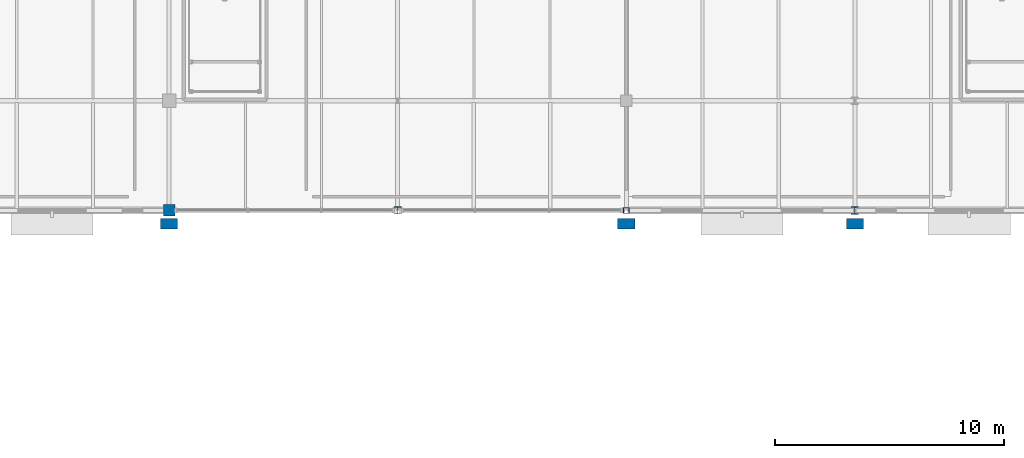
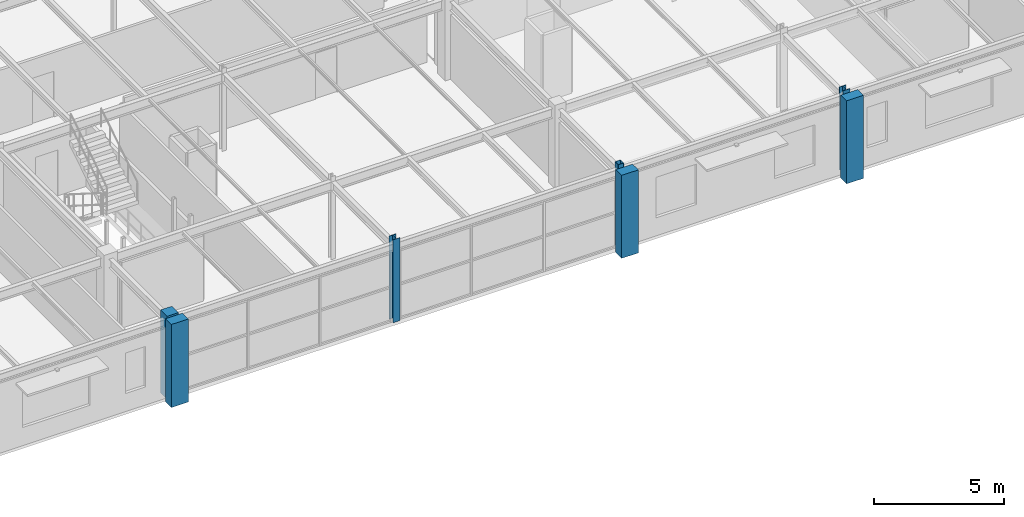
# One storey, part 18 of 98: 7 columns.
"""IFC4 building model written with IfcOpenShell, lengths in metres."""

import ifcopenshell
import ifcopenshell.guid

model = None  # the IFC model being written
_history = None  # IfcOwnerHistory: only IFC2X3 demands one
_inside = {}  # id of a spatial element -> (the spatial element, [elements in it])
_under = {}  # id of a project, library or spatial element -> (it, [spatial elements below it])
_declared = {}  # id of a project -> (the project, [libraries it declares])
_typed = {}  # id of a type object -> (the type object, [elements of that type])
_made_of = {}  # id of a material, layer set ... -> (it, [elements and type objects made of it])


def new_model(schema):
    """Start an empty IFC model of exactly this schema.

    Asked for "IFC4X3", IfcOpenShell would pick the latest addendum, in which some entities
    have other attributes; the version numbers below select the first issue.
    IFC2X3 requires an IfcOwnerHistory on every rooted entity: one is made here for all.
    """
    global model, _history
    if schema == "IFC4X3":
        model = ifcopenshell.file(schema_version=(4, 3, 0, 0))
    else:
        model = ifcopenshell.file(schema=schema)
    _inside.clear()
    _under.clear()
    _declared.clear()
    _typed.clear()
    _made_of.clear()
    _history = None
    if model.schema == "IFC2X3":
        org = make("IfcOrganization", Name="unknown")
        user = make(
            "IfcPersonAndOrganization",
            ThePerson=make("IfcPerson", FamilyName="unknown"),
            TheOrganization=org,
        )
        app = make(
            "IfcApplication",
            ApplicationDeveloper=org,
            Version="unknown",
            ApplicationFullName="unknown",
            ApplicationIdentifier="unknown",
        )
        _history = make(
            "IfcOwnerHistory",
            OwningUser=user,
            OwningApplication=app,
            ChangeAction="ADDED",
            CreationDate=0,
        )
    return model


def make(cls, **values):
    """One entity of the class cls with the attributes given. An attribute that is None is left unset."""
    return model.create_entity(
        cls, **{name: value for name, value in values.items() if value is not None}
    )


def rooted(cls, **values):
    """An entity with a GlobalId (a new one), such as an element, a storey or a relation."""
    return make(cls, GlobalId=ifcopenshell.guid.new(), OwnerHistory=_history, **values)


def si_unit(unit_type, name, prefix=None):
    """IfcSIUnit, for example si_unit("LENGTHUNIT", "METRE", prefix="MILLI")."""
    return make("IfcSIUnit", UnitType=unit_type, Prefix=prefix, Name=name)


def derived_unit(unit_type, elements):
    """IfcDerivedUnit: a product of units, each with its exponent."""
    return make(
        "IfcDerivedUnit",
        Elements=[
            make("IfcDerivedUnitElement", Unit=unit, Exponent=power)
            for unit, power in elements
        ],
        UnitType=unit_type,
    )


def assignment(units):
    """IfcUnitAssignment: the units of a project."""
    return None if units is None else make("IfcUnitAssignment", Units=units)


def point(xyz):
    """IfcCartesianPoint."""
    return None if xyz is None else make("IfcCartesianPoint", Coordinates=xyz)


def direction(xyz):
    """IfcDirection."""
    return None if xyz is None else make("IfcDirection", DirectionRatios=xyz)


def frame(location, z_axis=None, x_axis=None):
    """IfcAxis2Placement3D, a coordinate frame: its origin and axes. An axis left out is left unset."""
    return make(
        "IfcAxis2Placement3D",
        Location=point(location),
        Axis=direction(z_axis),
        RefDirection=direction(x_axis),
    )


def frame_2d(location, x_axis=None):
    """IfcAxis2Placement2D, a coordinate frame in the plane: its origin and x axis."""
    return make(
        "IfcAxis2Placement2D", Location=point(location), RefDirection=direction(x_axis)
    )


def origin():
    """The frame at (0, 0, 0) with its axes left unset."""
    return frame((0.0, 0.0, 0.0))


def origin_2d_with_axis():
    """The frame at (0, 0) in the plane with the x axis (1, 0) written out."""
    return frame_2d((0.0, 0.0), x_axis=(1.0, 0.0))


def place(relative_to, where):
    """IfcLocalPlacement: puts the frame where relative to a parent placement (None: the world)."""
    return make(
        "IfcLocalPlacement", PlacementRelTo=relative_to, RelativePlacement=where
    )


def context(
    kind, dimensions, precision=None, world=None, true_north=None, identifier=None
):
    """IfcGeometricRepresentationContext, for example the 3D "Model" context."""
    return make(
        "IfcGeometricRepresentationContext",
        ContextIdentifier=identifier,
        ContextType=kind,
        CoordinateSpaceDimension=dimensions,
        Precision=precision,
        WorldCoordinateSystem=world,
        TrueNorth=true_north,
    )


def subcontext(parent, identifier, kind, view, scale=None):
    """IfcGeometricRepresentationSubContext, for example "Body" below "Model"."""
    return make(
        "IfcGeometricRepresentationSubContext",
        ContextIdentifier=identifier,
        ContextType=kind,
        ParentContext=parent,
        TargetScale=scale,
        TargetView=view,
    )


def project(units=None, contexts=None):
    """IfcProject with its units and contexts."""
    return rooted(
        "IfcProject",
        Name="project",
        RepresentationContexts=contexts,
        UnitsInContext=assignment(units),
    )


def spatial(cls, under=None, at=None, **own):
    """A site, building, storey or space (cls), placed at a placement, below another one or the project."""
    s = rooted(cls, ObjectPlacement=at, **own)
    if under is not None:
        _under.setdefault(under.id(), (under, []))[1].append(s)
    return s


def profile(cls, at=None, kind="AREA", **sizes):
    """A parametric profile (cls). Its sizes go by their IFC names, for example OverallWidth=200.0."""
    return make(cls, ProfileType=kind, Position=at, **sizes)


def rectangle(**sizes):
    """IfcRectangleProfileDef."""
    return profile("IfcRectangleProfileDef", **sizes)


def hollow_rectangle(**sizes):
    """IfcRectangleHollowProfileDef."""
    return profile("IfcRectangleHollowProfileDef", **sizes)


def i_section(**sizes):
    """IfcIShapeProfileDef."""
    return profile("IfcIShapeProfileDef", **sizes)


def extrude(swept, where, along, depth):
    """IfcExtrudedAreaSolid: the profile swept, set in the frame where, extruded along a direction by depth."""
    return make(
        "IfcExtrudedAreaSolid",
        SweptArea=swept,
        Position=where,
        ExtrudedDirection=direction(along),
        Depth=depth,
    )


def shape(context_of_items, identifier, shape_type, items):
    """IfcShapeRepresentation: the items that make up one representation, for example the "Body"."""
    return make(
        "IfcShapeRepresentation",
        ContextOfItems=context_of_items,
        RepresentationIdentifier=identifier,
        RepresentationType=shape_type,
        Items=items,
    )


def material(Name=None, Category=None):
    """IfcMaterial."""
    return make("IfcMaterial", Name=Name, Category=Category)


def material_profile(
    of_material, cross_section, Name=None, Category=None, Priority=None
):
    """IfcMaterialProfile: a cross section and its material."""
    return make(
        "IfcMaterialProfile",
        Name=Name,
        Material=of_material,
        Profile=cross_section,
        Priority=Priority,
        Category=Category,
    )


def profile_set(profiles, Name=None, composite=None):
    """IfcMaterialProfileSet."""
    return make(
        "IfcMaterialProfileSet",
        Name=Name,
        MaterialProfiles=profiles,
        CompositeProfile=composite,
    )


def made_of(thing, what):
    """Note that an element or type object is made of a material, layer set ...; save() writes the relation."""
    if what is not None:
        _made_of.setdefault(what.id(), (what, []))[1].append(thing)
    return thing


def type_object(cls, material=None, **own):
    """A type object (cls), such as IfcWallType, which elements share."""
    return made_of(rooted(cls, **own), material)


def element(
    cls,
    number,
    at=None,
    inside=None,
    cuts=None,
    type_object=None,
    material=None,
    context=None,
    identifier="Body",
    shape_type=None,
    held_by="IfcProductDefinitionShape",
    body=None,
    shapes=None,
    **own,
):
    """One element of the class cls, such as IfcWall. Its Tag is "e" and its number.

    at: its placement. inside: the storey or other place that contains it. cuts: it is an
    opening in that element (IfcRelVoidsElement). A single representation is given by context,
    identifier, shape_type and body (its items); several are given by shapes. held_by: the class
    of the entity that holds the representations. save() writes the other relations.
    """
    e = rooted(cls, Tag="e%d" % number, ObjectPlacement=at, **own)
    if body is not None:
        shapes = [shape(context, identifier, shape_type, body)]
    if shapes is not None:
        e.Representation = make(held_by, Representations=shapes)
    if inside is not None:
        _inside.setdefault(inside.id(), (inside, []))[1].append(e)
    if cuts is not None:
        rooted(
            "IfcRelVoidsElement", RelatingBuildingElement=cuts, RelatedOpeningElement=e
        )
    if type_object is not None:
        _typed.setdefault(type_object.id(), (type_object, []))[1].append(e)
    return made_of(e, material)


def aggregate(whole, parts):
    """IfcRelAggregates: a whole, such as a stair, and the parts it consists of."""
    return rooted("IfcRelAggregates", RelatingObject=whole, RelatedObjects=parts)


def save(model, path):
    """Write the relations noted so far, then the file.

    IfcRelAggregates (storeys below a building ...), IfcRelContainedInSpatialStructure (elements
    in a storey), IfcRelDefinesByType, IfcRelAssociatesMaterial and IfcRelDeclares: one each for
    every whole, place, type object, material and project.
    """
    for whole, parts in _under.values():
        aggregate(whole, parts)
    for where, things in _inside.values():
        rooted(
            "IfcRelContainedInSpatialStructure",
            RelatedElements=things,
            RelatingStructure=where,
        )
    for kind, things in _typed.values():
        rooted("IfcRelDefinesByType", RelatedObjects=things, RelatingType=kind)
    for what, things in _made_of.values():
        rooted("IfcRelAssociatesMaterial", RelatedObjects=things, RelatingMaterial=what)
    for by, libraries in _declared.values():
        rooted("IfcRelDeclares", RelatingContext=by, RelatedDefinitions=libraries)
    model.write(path)


model = new_model("IFC4")

# Units and contexts
model_context = context("Model", 3, precision=1e-05, world=origin(), true_north=direction((0.0, 1.0)))
body_context = subcontext(model_context, "Body", "Model", "MODEL_VIEW")
ifc_project = project(units=[si_unit("LENGTHUNIT", "METRE"), si_unit("AREAUNIT", "SQUARE_METRE"), si_unit("VOLUMEUNIT", "CUBIC_METRE"), si_unit("PLANEANGLEUNIT", "RADIAN"), si_unit("MASSUNIT", "GRAM", prefix="KILO"), derived_unit("THERMALTRANSMITTANCEUNIT", [(si_unit("POWERUNIT", "WATT"), 1), (si_unit("LENGTHUNIT", "METRE"), -2), (si_unit("THERMODYNAMICTEMPERATUREUNIT", "KELVIN"), -1)])], contexts=[model_context])

# Site, building, storey
site_placement = place(None, origin())
site = spatial("IfcSite", under=ifc_project, at=site_placement, CompositionType="ELEMENT")
building_placement = place(site_placement, origin())
building = spatial("IfcBuilding", under=site, at=building_placement, Name="Cinnabar Yard Market Hall", CompositionType="ELEMENT")
storey_placement = place(building_placement, frame((0.0, 0.0, 4.5)))
storey = spatial("IfcBuildingStorey", under=building, at=storey_placement, Name="L01", CompositionType="ELEMENT", Elevation=4.5)

# Columns
ifc_material_1 = material(Name="Steel Grade 300 (300 MPa)", Category="steel")
ifc_material_profile_1 = material_profile(ifc_material_1, i_section(OverallWidth=0.307373046875, OverallDepth=0.314697265625, WebThickness=0.011962890625, FlangeThickness=0.018798828125, FilletRadius=0.0166015625, at=origin_2d_with_axis()), Name="310UC118")
ifc_profile_set_1 = profile_set([ifc_material_profile_1], Name="Steel Grade 300 (300 MPa)")
column_type_1 = type_object("IfcColumnType", Name="COL-C08E", PredefinedType="COLUMN", material=ifc_profile_set_1)
column_1_placement = place(storey_placement, frame((136.0, 108.0, 0.0), z_axis=(0.0, 0.0, 1.0), x_axis=(1.0, 0.0, 0.0)))
element("IfcColumn", 1, at=column_1_placement, inside=storey, type_object=column_type_1, Name="Wing Column V3-08-01 L01", PredefinedType="COLUMN", context=body_context, shape_type="SweptSolid", body=[
    extrude(i_section(OverallWidth=0.307373046875, OverallDepth=0.314697265625, WebThickness=0.011962890625, FlangeThickness=0.018798828125, FilletRadius=0.0166015625, at=origin_2d_with_axis()), origin(), (0.0, 0.0, 1.0), 3.89990234375),
])
ifc_material_profile_2 = material_profile(ifc_material_1, i_section(OverallWidth=0.304931640625, OverallDepth=0.30810546875, WebThickness=0.010009765625, FlangeThickness=0.015380859375, FilletRadius=0.0166015625, at=origin_2d_with_axis()), Name="310UC96.8")
ifc_profile_set_2 = profile_set([ifc_material_profile_2], Name="Steel Grade 300 (300 MPa)")
column_type_2 = type_object("IfcColumnType", Name="COL-C09E", PredefinedType="COLUMN", material=ifc_profile_set_2)
column_2_placement = place(storey_placement, frame((116.0, 108.0, 0.0), z_axis=(0.0, 0.0, 1.0), x_axis=(1.0, 0.0, 0.0)))
element("IfcColumn", 2, at=column_2_placement, inside=storey, type_object=column_type_2, Name="Wing Column V3-06-01 L01", PredefinedType="COLUMN", context=body_context, shape_type="SweptSolid", body=[
    extrude(i_section(OverallWidth=0.304931640625, OverallDepth=0.30810546875, WebThickness=0.010009765625, FlangeThickness=0.015380859375, FilletRadius=0.0166015625, at=origin_2d_with_axis()), origin(), (0.0, 0.0, 1.0), 3.89990234375),
])
ifc_material_2 = material(Name="Cold-formed steel C350L0", Category="steel")
ifc_material_profile_3 = material_profile(ifc_material_2, hollow_rectangle(XDim=0.25, YDim=0.25, WallThickness=0.009033203125, InnerFilletRadius=0.009033203125, OuterFilletRadius=0.01806640625, at=origin_2d_with_axis()), Name="250x250x9.0SHS")
ifc_profile_set_3 = profile_set([ifc_material_profile_3], Name="Cold-formed steel C350L0")
column_type_3 = type_object("IfcColumnType", Name="COL-C20E", PredefinedType="COLUMN", material=ifc_profile_set_3)
column_3_placement = place(storey_placement, frame((126.0, 108.0, 0.0), z_axis=(0.0, 0.0, 1.0), x_axis=(1.0, 0.0, 0.0)))
element("IfcColumn", 3, at=column_3_placement, inside=storey, type_object=column_type_3, Name="Wing Column V3-07-01 L01", PredefinedType="COLUMN", context=body_context, shape_type="SweptSolid", body=[
    extrude(hollow_rectangle(XDim=0.25, YDim=0.25, WallThickness=0.009033203125, InnerFilletRadius=0.009033203125, OuterFilletRadius=0.01806640625, at=origin_2d_with_axis()), origin(), (0.0, 0.0, 1.0), 3.89990234375),
])
ifc_material_3 = material(Name="Concrete 40 MPa", Category="concrete")
ifc_material_profile_4 = material_profile(ifc_material_3, rectangle(XDim=0.75, YDim=0.449951171875, at=origin_2d_with_axis()), Name="RC-750x450")
ifc_profile_set_4 = profile_set([ifc_material_profile_4], Name="Concrete 40 MPa")
column_type_4 = type_object("IfcColumnType", Name="COL-PIL1E", PredefinedType="PILASTER", material=ifc_profile_set_4)
for number, where, z_axis, x_axis, name in (
    (4, (106.0, 107.419921875, 0.0), (0.0, 0.0, 1.0), (1.0, 0.0, 0.0), "Engaged Pilaster 04 L01"),
    (5, (126.0, 107.419921875, 0.0), (0.0, 0.0, 1.0), (1.0, 0.0, 0.0), "Engaged Pilaster 05 L01"),
    (6, (136.0, 107.419921875, 0.0), (0.0, 0.0, 1.0), (1.0, 0.0, 0.0), "Engaged Pilaster 06 L01"),
):
    element("IfcColumn", number, at=place(storey_placement, frame(where, z_axis=z_axis, x_axis=x_axis)), inside=storey, type_object=column_type_4, Name=name, PredefinedType="PILASTER", context=body_context, shape_type="SweptSolid", body=[
        extrude(rectangle(XDim=0.75, YDim=0.449951171875, at=origin_2d_with_axis()), origin(), (0.0, 0.0, 1.0), 3.89990234375),
    ])
ifc_material_profile_5 = material_profile(ifc_material_3, rectangle(XDim=0.5, YDim=0.5, at=origin_2d_with_axis()), Name="RC-500x500")
ifc_profile_set_5 = profile_set([ifc_material_profile_5], Name="Concrete 40 MPa")
column_type_5 = type_object("IfcColumnType", Name="COL-RC1E", PredefinedType="COLUMN", material=ifc_profile_set_5)
column_4_placement = place(storey_placement, frame((106.0, 108.0, 0.0), z_axis=(0.0, 0.0, 1.0), x_axis=(1.0, 0.0, 0.0)))
element("IfcColumn", 7, at=column_4_placement, inside=storey, type_object=column_type_5, Name="Wing Column V3-05-01 L01", PredefinedType="COLUMN", context=body_context, shape_type="SweptSolid", body=[
    extrude(rectangle(XDim=0.5, YDim=0.5, at=origin_2d_with_axis()), origin(), (0.0, 0.0, 1.0), 3.89990234375),
])

save(model, "model.ifc")
